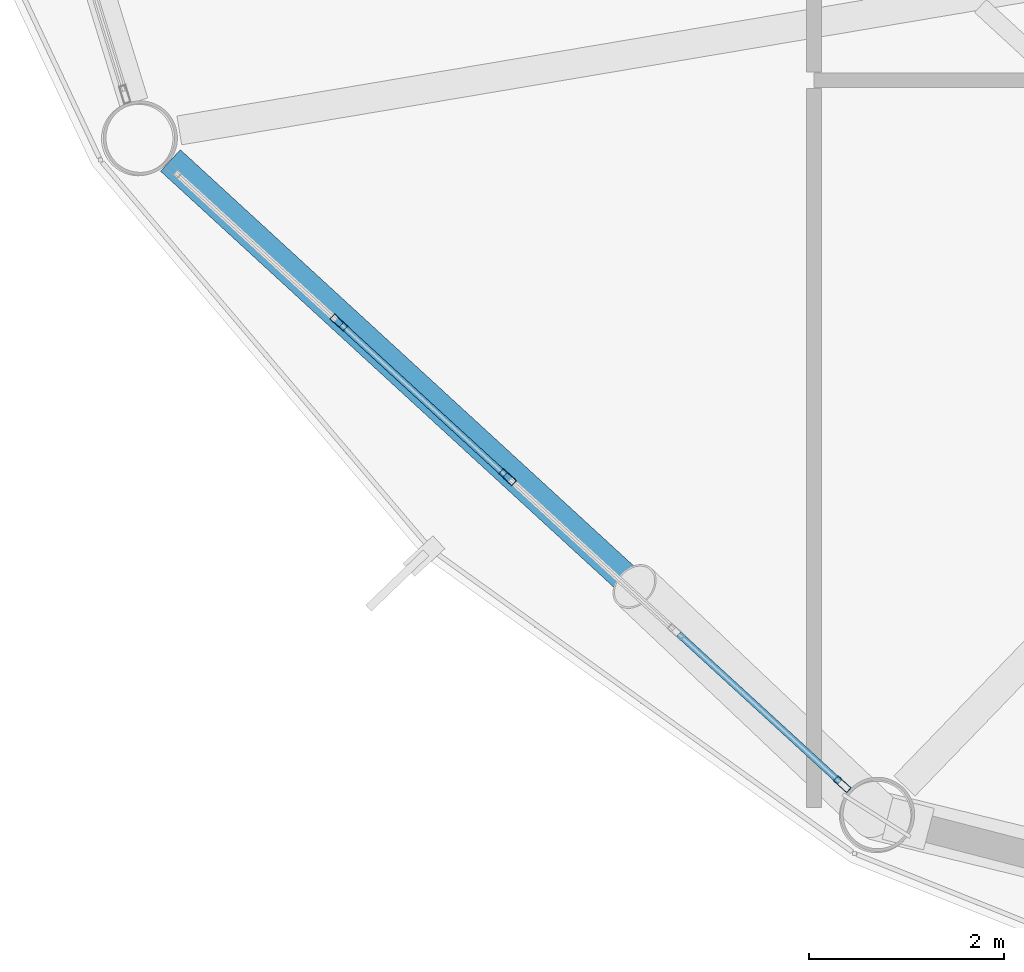
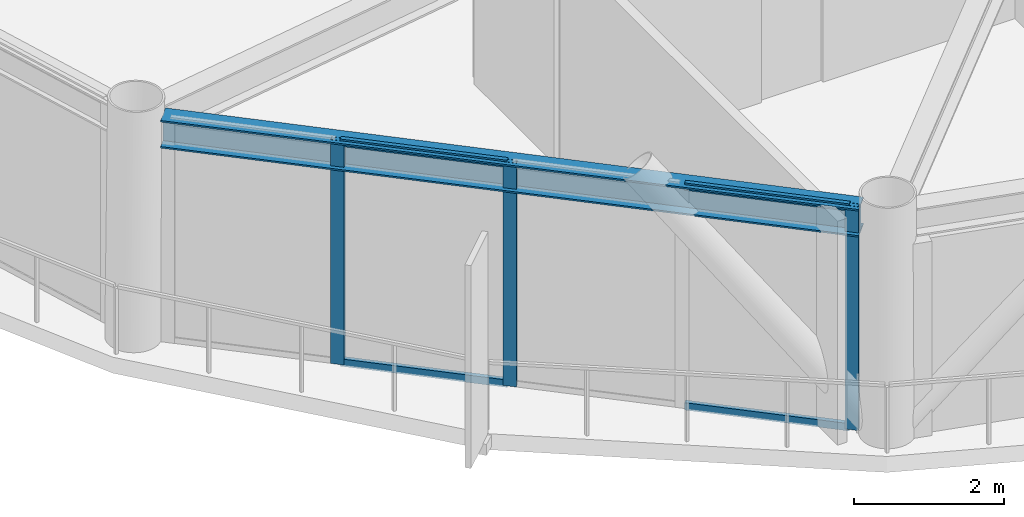
# One storey, part 2 of 25: 7 members, 1 beam, 1 element without a shape of its own.
"""IFC4 building model written with IfcOpenShell, lengths in metres."""

from ifc_helpers import new_model, si_unit, direction, frame, origin, origin_2d, place, context, subcontext, project, spatial, hollow_rectangle, i_section, extrude, material, layer, layer_set, material_profile, profile_set, type_object, element, aggregate, save


model = new_model("IFC4")

# Units and contexts
model_context = context("Model", 3, precision=1e-05, world=origin(), true_north=direction((0.0, 1.0)))
body_context = subcontext(model_context, "Body", "Model", "MODEL_VIEW")
ifc_project = project(units=[si_unit("LENGTHUNIT", "METRE"), si_unit("AREAUNIT", "SQUARE_METRE"), si_unit("VOLUMEUNIT", "CUBIC_METRE"), si_unit("PLANEANGLEUNIT", "RADIAN"), si_unit("MASSUNIT", "GRAM", prefix="KILO")], contexts=[model_context])

# Site, building, storey
site_placement = place(None, origin())
site = spatial("IfcSite", under=ifc_project, at=site_placement, CompositionType="ELEMENT")
building_placement = place(site_placement, origin())
building = spatial("IfcBuilding", under=site, at=building_placement, Name="Varnakorn Sky Granary", CompositionType="ELEMENT")
storey_placement = place(building_placement, frame((0.0, 0.0, 146.10009765625)))
storey = spatial("IfcBuildingStorey", under=building, at=storey_placement, Name="L36", CompositionType="ELEMENT", Elevation=146.10009765625)

# Beam
ifc_material_1 = material(Name="Steel S355JR", Category="steel")
ifc_material_profile_1 = material_profile(ifc_material_1, i_section(OverallWidth=0.300048828125, OverallDepth=0.449951171875, WebThickness=0.013916015625, FlangeThickness=0.02587890625, at=origin_2d()), Name="HE 450 B")
ifc_profile_set_1 = profile_set([ifc_material_profile_1], Name="Steel S355JR")
beam_type = type_object("IfcBeamType", Name="BM-SPD-Z3", PredefinedType="SPANDREL", material=ifc_profile_set_1)
beam_placement = place(storey_placement, frame((-19.112060546875, -9.72412109375, 3.414794921875), z_axis=(0.736711465157, -0.67620722941, 0.0), x_axis=(0.67620722941, 0.736711465157, 0.0)))
element("IfcBeam", 1, at=beam_placement, inside=storey, type_object=beam_type, Name="Perimeter Spandrel Ring Beam RB08 L36", PredefinedType="SPANDREL", context=body_context, shape_type="SweptSolid", body=[
    extrude(i_section(OverallWidth=0.300048828125, OverallDepth=0.449951171875, WebThickness=0.013916015625, FlangeThickness=0.02587890625, at=origin_2d()), origin(), (0.0, 0.0, 1.0), 9.52685546875),
])

# Curtain wall, members
ifc_material_2 = material(Name="Anodised Bronze Aluminium Alloy 6063-T6", Category="aluminium")
ifc_layer = layer(ifc_material_2, 0.179931640625, Name="Anodised Bronze Aluminium Alloy 6063-T6")
ifc_layer_set = layer_set([ifc_layer], Name="Anodised Bronze Aluminium Alloy 6063-T6")
curtain_wall_type = type_object("IfcCurtainWallType", Name="CW-FRM-2", PredefinedType="USERDEFINED", material=ifc_layer_set)
curtain_wall_placement = place(storey_placement, origin())
curtain_wall = element("IfcCurtainWall", 2, at=curtain_wall_placement, inside=storey, type_object=curtain_wall_type, Name="Unitised Curtain Wall CW4 CW-L36-B08", ObjectType="CURTAIN WALL", PredefinedType="USERDEFINED")
ifc_material_profile_2 = material_profile(ifc_material_2, hollow_rectangle(XDim=0.070068359375, YDim=0.18505859375, WallThickness=0.00390625, at=origin_2d()), Name="ALU MULL 70x185")
ifc_profile_set_2 = profile_set([ifc_material_profile_2], Name="Anodised Bronze Aluminium Alloy 6063-T6")
member_type_1 = type_object("IfcMemberType", Name="CW-FRM-2-MULL", PredefinedType="MULLION", material=ifc_profile_set_2)
member_1_placement = place(storey_placement, frame((-12.208251953125, -16.133544921875, 0.0), z_axis=(0.0, 0.0, 1.0), x_axis=(-0.675960473988, -0.736937879069, 0.0)))
member_1 = element("IfcMember", 3, at=member_1_placement, type_object=member_type_1, Name="CW4 mullion 1", PredefinedType="MULLION", context=body_context, shape_type="SweptSolid", body=[
    extrude(hollow_rectangle(XDim=0.070068359375, YDim=0.18505859375, WallThickness=0.00390625, at=origin_2d()), origin(), (0.0, 0.0, 1.0), 3.639892578125),
])
member_2_placement = place(storey_placement, frame((-15.648681640625, -12.977783203125, 0.0), z_axis=(0.0, 0.0, 1.0), x_axis=(-0.675960473988, -0.736937879069, 0.0)))
member_2 = element("IfcMember", 4, at=member_2_placement, type_object=member_type_1, Name="CW4 mullion 3", PredefinedType="MULLION", context=body_context, shape_type="SweptSolid", body=[
    extrude(hollow_rectangle(XDim=0.070068359375, YDim=0.18505859375, WallThickness=0.00390625, at=origin_2d()), origin(), (0.0, 0.0, 1.0), 3.639892578125),
])
member_3_placement = place(storey_placement, frame((-17.381591796875, -11.38818359375, 0.0), z_axis=(0.0, 0.0, 1.0), x_axis=(-0.675960473988, -0.736937879069, 0.0)))
member_3 = element("IfcMember", 5, at=member_3_placement, type_object=member_type_1, Name="CW4 mullion 4", PredefinedType="MULLION", context=body_context, shape_type="SweptSolid", body=[
    extrude(hollow_rectangle(XDim=0.070068359375, YDim=0.18505859375, WallThickness=0.00390625, at=origin_2d()), origin(), (0.0, 0.0, 1.0), 3.639892578125),
])
ifc_material_profile_3 = material_profile(ifc_material_2, hollow_rectangle(XDim=0.06494140625, YDim=0.1201171875, WallThickness=0.00341796875, at=origin_2d()), Name="ALU TRAN 65x120")
ifc_profile_set_3 = profile_set([ifc_material_profile_3], Name="Anodised Bronze Aluminium Alloy 6063-T6")
member_type_2 = type_object("IfcMemberType", Name="CW-FRM-2-TRAN", PredefinedType="USERDEFINED", material=ifc_profile_set_3)
member_4_placement = place(storey_placement, frame((-12.234130859375, -16.10986328125, 0.032470703125), z_axis=(-0.736933057547, 0.675965730415, 0.0), x_axis=(-0.675965730415, -0.736933057547, 0.0)))
member_4 = element("IfcMember", 6, at=member_4_placement, type_object=member_type_2, Name="CW4 transom 1.1", ObjectType="TRANSOM", PredefinedType="USERDEFINED", context=body_context, shape_type="SweptSolid", body=[
    extrude(hollow_rectangle(XDim=0.06494140625, YDim=0.1201171875, WallThickness=0.00341796875, at=origin_2d()), origin(), (0.0, 0.0, 1.0), 2.24658203125),
])
member_5_placement = place(storey_placement, frame((-12.234130859375, -16.10986328125, 3.607421875), z_axis=(-0.736933057547, 0.675965730415, 0.0), x_axis=(-0.675965730415, -0.736933057547, 0.0)))
member_5 = element("IfcMember", 7, at=member_5_placement, type_object=member_type_2, Name="CW4 transom 1.2", ObjectType="TRANSOM", PredefinedType="USERDEFINED", context=body_context, shape_type="SweptSolid", body=[
    extrude(hollow_rectangle(XDim=0.06494140625, YDim=0.1201171875, WallThickness=0.00341796875, at=origin_2d()), origin(), (0.0, 0.0, 1.0), 2.24658203125),
])
member_6_placement = place(storey_placement, frame((-15.67431640625, -12.954345703125, 0.032470703125), z_axis=(-0.736940932781, 0.675957144789, 0.0), x_axis=(-0.675957144789, -0.736940932781, 0.0)))
member_6 = element("IfcMember", 8, at=member_6_placement, type_object=member_type_2, Name="CW4 transom 3.1", ObjectType="TRANSOM", PredefinedType="USERDEFINED", context=body_context, shape_type="SweptSolid", body=[
    extrude(hollow_rectangle(XDim=0.06494140625, YDim=0.1201171875, WallThickness=0.00341796875, at=origin_2d()), origin(), (0.0, 0.0, 1.0), 2.281982421875),
])
member_7_placement = place(storey_placement, frame((-15.67431640625, -12.954345703125, 3.607421875), z_axis=(-0.736940932781, 0.675957144789, 0.0), x_axis=(-0.675957144789, -0.736940932781, 0.0)))
member_7 = element("IfcMember", 9, at=member_7_placement, type_object=member_type_2, Name="CW4 transom 3.2", ObjectType="TRANSOM", PredefinedType="USERDEFINED", context=body_context, shape_type="SweptSolid", body=[
    extrude(hollow_rectangle(XDim=0.06494140625, YDim=0.1201171875, WallThickness=0.00341796875, at=origin_2d()), origin(), (0.0, 0.0, 1.0), 2.281982421875),
])
aggregate(curtain_wall, [member_1, member_2, member_3, member_4, member_5, member_6, member_7])

save(model, "model.ifc")
